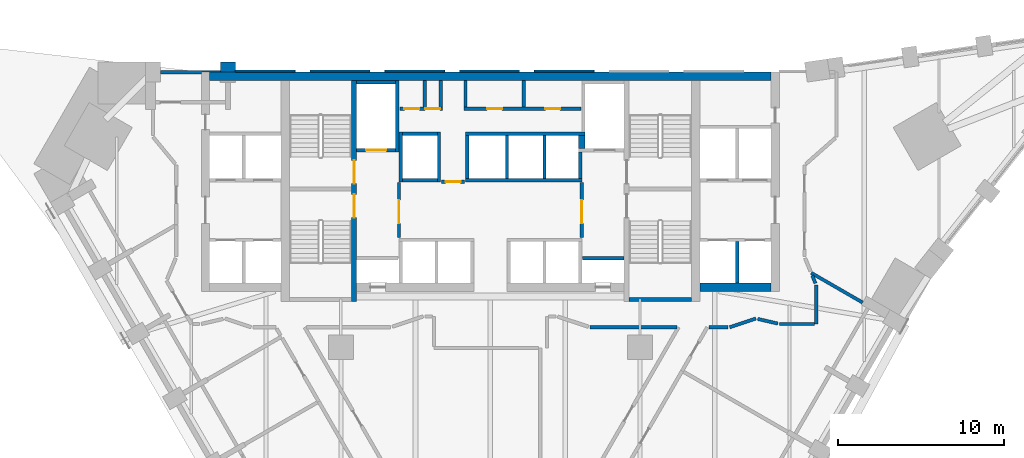
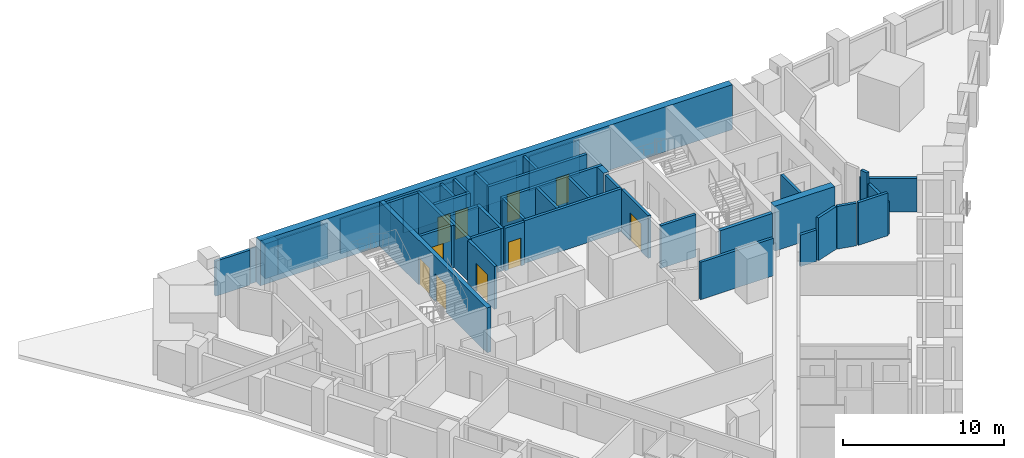
# One storey, part 7 of 10: 44 walls, 10 doors, 10 openings.
"""IFC4 building model written with IfcOpenShell, lengths in metres."""

from ifc_helpers import new_model, si_unit, direction, frame, frame_2d, origin, place, context, subcontext, project, spatial, polyline, rectangle, outline, extrude, material, layer, layer_set, type_object, element, fill, save


model = new_model("IFC4")

# Units and contexts
model_context = context("Model", 3, precision=1e-05, world=origin(), true_north=direction((0.0, 1.0)))
body_context = subcontext(model_context, "Body", "Model", "MODEL_VIEW")
ifc_project = project(units=[si_unit("LENGTHUNIT", "METRE"), si_unit("AREAUNIT", "SQUARE_METRE"), si_unit("VOLUMEUNIT", "CUBIC_METRE"), si_unit("PLANEANGLEUNIT", "RADIAN"), si_unit("MASSUNIT", "GRAM", prefix="KILO")], contexts=[model_context])

# Site, building, storey
site_placement = place(None, origin())
site = spatial("IfcSite", under=ifc_project, at=site_placement, CompositionType="ELEMENT")
building_placement = place(site_placement, origin())
building = spatial("IfcBuilding", under=site, at=building_placement, Name="Calabash Gate Tower", CompositionType="ELEMENT")
storey_placement = place(building_placement, frame((0.0, 0.0, 91.800048828125)))
storey = spatial("IfcBuildingStorey", under=building, at=storey_placement, Name="L19", CompositionType="ELEMENT", Elevation=91.800048828125)

# Walls
ifc_material_1 = material(Name="Terracotta brick masonry, exposed face", Category="masonry")
ifc_layer_1 = layer(ifc_material_1, 1.199951171875)
ifc_layer_set_1 = layer_set([ifc_layer_1], Name="Brick end wall 1200")
wall_type_1 = type_object("IfcWallType", Name="Brick end wall 1200", PredefinedType="SOLIDWALL", material=ifc_layer_set_1)
wall_1_placement = place(storey_placement, origin())
element("IfcWall", 1, at=wall_1_placement, inside=storey, type_object=wall_type_1, Name="Brick pier S05 N6.7a", PredefinedType="SOLIDWALL", context=body_context, shape_type="SweptSolid", body=[
    extrude(outline(polyline([(-15.35498046875, 19.052490234375), (-15.35498046875, 19.652587890625), (-16.255126953125, 19.652587890625), (-16.255126953125, 19.052490234375), (-15.35498046875, 19.052490234375)])), origin(), (0.0, 0.0, 1.0), 2.64990234375),
])
ifc_material_2 = material(Name="Gypsum board on steel studs, mineral wool", Category="steel")
ifc_layer_2 = layer(ifc_material_2, 0.199951171875)
ifc_layer_set_2 = layer_set([ifc_layer_2], Name="Core partition 200 gypsum board")
wall_type_2 = type_object("IfcWallType", Name="Core partition 200 gypsum board", PredefinedType="PARTITIONING", material=ifc_layer_set_2)
for number, where, z_axis, x_axis, name in (
    (2, (-3.949951171875, 16.95263671875, 0.0), (0.0, 0.0, 1.0), (0.0, 1.0, 0.0), "Core partition"),
    (3, (-3.0, 16.95263671875, 0.0), (0.0, 0.0, 1.0), (0.0, 1.0, 0.0), "Core partition"),
    (4, (-1.5, 16.95263671875, 0.0), (0.0, 0.0, 1.0), (0.0, 1.0, 0.0), "Core partition"),
    (5, (2.0, 16.95263671875, 0.0), (0.0, 0.0, 1.0), (0.0, 1.0, 0.0), "Core partition"),
):
    element("IfcWall", number, at=place(storey_placement, frame(where, z_axis=z_axis, x_axis=x_axis)), inside=storey, type_object=wall_type_2, Name=name, PredefinedType="PARTITIONING", context=body_context, shape_type="SweptSolid", body=[
        extrude(rectangle(XDim=1.599853515625, YDim=0.199951171875, at=frame_2d((0.7998046875, 0.0))), origin(), (0.0, 0.0, 1.0), 3.22998046875),
    ])
ifc_material_3 = material(Name="Concrete C80/95", Category="concrete")
ifc_layer_3 = layer(ifc_material_3, 0.25)
ifc_layer_set_3 = layer_set([ifc_layer_3], Name="Core wall 250 Concrete C80/95")
wall_type_3 = type_object("IfcWallType", Name="Core wall 250 Concrete C80/95", PredefinedType="SHEAR", material=ifc_layer_set_3)
wall_2_placement = place(storey_placement, frame((8.35009765625, 5.377685546875, 0.0), z_axis=(0.0, 0.0, 1.0), x_axis=(1.0, 0.0, 0.0)))
element("IfcWall", 6, at=wall_2_placement, inside=storey, type_object=wall_type_3, Name="Core wall Z2-SSE L19", PredefinedType="SHEAR", context=body_context, shape_type="SweptSolid", body=[
    extrude(rectangle(XDim=3.75, YDim=0.25, at=frame_2d((1.875, 0.0))), origin(), (0.0, 0.0, 1.0), 3.39990234375),
])

# Wall, openings, doors
ifc_material_4 = material(Name="Concrete C80/95", Category="concrete")
ifc_layer_4 = layer(ifc_material_4, 0.300048828125)
ifc_layer_set_4 = layer_set([ifc_layer_4], Name="Core wall 300 Concrete C80/95")
wall_type_4 = type_object("IfcWallType", Name="Core wall 300 Concrete C80/95", PredefinedType="SHEAR", material=ifc_layer_set_4)
wall_3_placement = place(storey_placement, frame((-8.199951171875, 5.252685546875, 0.0), z_axis=(0.0, 0.0, 1.0), x_axis=(0.0, 1.0, 0.0)))
wall_3 = element("IfcWall", 7, at=wall_3_placement, inside=storey, type_object=wall_type_4, Name="Core wall Z2-PARTW L19", PredefinedType="SHEAR", context=body_context, shape_type="SweptSolid", body=[
    extrude(rectangle(XDim=13.2998046875, YDim=0.300048828125, at=frame_2d((6.64990234375, 0.0))), origin(), (0.0, 0.0, 1.0), 3.39990234375),
])
opening_1_placement = place(wall_3_placement, frame((7.10009765625, 0.0, 0.0)))
opening_1 = element("IfcOpeningElement", 8, at=opening_1_placement, cuts=wall_3, Name="Opening H5-014", PredefinedType="OPENING", context=body_context, shape_type="SweptSolid", body=[
    extrude(rectangle(XDim=1.39990234375, YDim=2.10009765625, at=frame_2d((0.699951171875, 1.050048828125))), frame((0.0, 0.159912109375, 0.0), z_axis=(0.0, -1.0, 0.0), x_axis=(1.0, 0.0, 0.0)), (0.0, 0.0, 1.0), 0.320068359375),
])
opening_2_placement = place(wall_3_placement, frame((5.050048828125, 0.0, 0.0)))
opening_2 = element("IfcOpeningElement", 9, at=opening_2_placement, cuts=wall_3, Name="Opening H5-015", PredefinedType="OPENING", context=body_context, shape_type="SweptSolid", body=[
    extrude(rectangle(XDim=1.39990234375, YDim=2.10009765625, at=frame_2d((0.699951171875, 1.050048828125))), frame((0.0, 0.159912109375, 0.0), z_axis=(0.0, -1.0, 0.0), x_axis=(1.0, 0.0, 0.0)), (0.0, 0.0, 1.0), 0.320068359375),
])
ifc_material_5 = material(Name="Steel fire door set with fire-resisting glazing", Category="steel")
door_type_1 = type_object("IfcDoorType", Name="Fire door D05 1400x2100 FD90", OperationType="NOTDEFINED", PredefinedType="DOOR", material=ifc_material_5)
door_1_placement = place(opening_1_placement, origin())
door_1 = element("IfcDoor", 10, at=door_1_placement, inside=storey, type_object=door_type_1, Name="Exit stair door ST1", OperationType="SINGLE_SWING_LEFT", OverallHeight=2.10009765625, OverallWidth=1.39990234375, PredefinedType="DOOR", context=body_context, shape_type="SweptSolid", body=[
    extrude(rectangle(XDim=1.39990234375, YDim=2.10009765625, at=frame_2d((0.699951171875, 1.050048828125))), frame((0.0, 0.02490234375, 0.0), z_axis=(0.0, -1.0, 0.0), x_axis=(1.0, 0.0, 0.0)), (0.0, 0.0, 1.0), 0.050048828125),
])
fill(opening_1, door_1)
door_2_placement = place(opening_2_placement, origin())
door_2 = element("IfcDoor", 11, at=door_2_placement, inside=storey, type_object=door_type_1, Name="Exit stair door ST2", OperationType="SINGLE_SWING_LEFT", OverallHeight=2.10009765625, OverallWidth=1.39990234375, PredefinedType="DOOR", context=body_context, shape_type="SweptSolid", body=[
    extrude(rectangle(XDim=1.39990234375, YDim=2.10009765625, at=frame_2d((0.699951171875, 1.050048828125))), frame((0.0, 0.02490234375, 0.0), z_axis=(0.0, -1.0, 0.0), x_axis=(1.0, 0.0, 0.0)), (0.0, 0.0, 1.0), 0.050048828125),
])
fill(opening_2, door_2)

# Walls
ifc_material_6 = material(Name="Concrete C80/95", Category="concrete")
ifc_layer_5 = layer(ifc_material_6, 0.5)
ifc_layer_set_5 = layer_set([ifc_layer_5], Name="Core wall 500 Concrete C80/95")
wall_type_5 = type_object("IfcWallType", Name="Core wall 500 Concrete C80/95", PredefinedType="SHEAR", material=ifc_layer_set_5)
wall_4_placement = place(storey_placement, frame((-16.89990234375, 18.802490234375, 0.0), z_axis=(0.0, 0.0, 1.0), x_axis=(1.0, 0.0, 0.0)))
element("IfcWall", 12, at=wall_4_placement, inside=storey, type_object=wall_type_5, Name="Core wall Z2-N L19", PredefinedType="SHEAR", context=body_context, shape_type="SweptSolid", body=[
    extrude(rectangle(XDim=33.7998046875, YDim=0.5, at=frame_2d((16.89990234375, 0.0))), origin(), (0.0, 0.0, 1.0), 3.39990234375),
])
wall_5_placement = place(storey_placement, frame((12.60009765625, 6.1025390625, 0.0), z_axis=(0.0, 0.0, 1.0), x_axis=(1.0, 0.0, 0.0)))
element("IfcWall", 13, at=wall_5_placement, inside=storey, type_object=wall_type_5, Name="Core wall Z2-SE L19", PredefinedType="SHEAR", context=body_context, shape_type="SweptSolid", body=[
    extrude(rectangle(XDim=4.2998046875, YDim=0.5, at=frame_2d((2.14990234375, 0.0))), origin(), (0.0, 0.0, 1.0), 3.39990234375),
])
ifc_material_7 = material(Name="Gypsum board on steel studs, mineral wool", Category="steel")
ifc_layer_6 = layer(ifc_material_7, 0.199951171875)
ifc_layer_set_6 = layer_set([ifc_layer_6], Name="Partition 200 gypsum board EI 60")
wall_type_6 = type_object("IfcWallType", Name="Partition 200 gypsum board EI 60", PredefinedType="PARTITIONING", material=ifc_layer_set_6)
wall_6_placement = place(storey_placement, frame((6.0, 3.69970703125, 0.0), z_axis=(0.0, 0.0, 1.0), x_axis=(1.0, 0.0, 0.0)))
element("IfcWall", 14, at=wall_6_placement, inside=storey, type_object=wall_type_6, Name="Partition", PredefinedType="PARTITIONING", context=body_context, shape_type="SweptSolid", body=[
    extrude(rectangle(XDim=5.21875, YDim=0.199951171875, at=frame_2d((2.609375, 0.0))), origin(), (0.0, 0.0, 1.0), 2.83154296875),
])
wall_7_placement = place(storey_placement, frame((13.1513671875, 3.699462890625, 0.0), z_axis=(0.0, 0.0, 1.0), x_axis=(1.0, 0.0, 0.0)))
element("IfcWall", 15, at=wall_7_placement, inside=storey, type_object=wall_type_6, Name="Partition", PredefinedType="PARTITIONING", context=body_context, shape_type="SweptSolid", body=[
    extrude(rectangle(XDim=1.148681640625, YDim=0.199951171875, at=frame_2d((0.57421875, 0.0))), origin(), (0.0, 0.0, 1.0), 2.384033203125),
])
wall_8_placement = place(storey_placement, frame((17.39990234375, 3.8994140625, 0.0), z_axis=(0.0, 0.0, 1.0), x_axis=(0.999999993244, 0.000116238521, 0.0)))
element("IfcWall", 16, at=wall_8_placement, inside=storey, type_object=wall_type_6, Name="Partition", PredefinedType="PARTITIONING", context=body_context, shape_type="SweptSolid", body=[
    extrude(rectangle(XDim=2.100341796875, YDim=0.199951171875, at=frame_2d((1.05029296875, 0.0))), origin(), (0.0, 0.0, 1.0), 3.22998046875),
])
wall_9_placement = place(storey_placement, frame((16.080322265625, 4.20458984375, 0.0), z_axis=(0.0, 0.0, 1.0), x_axis=(0.974315694548, -0.225186428005, 0.0)))
element("IfcWall", 17, at=wall_9_placement, inside=storey, type_object=wall_type_6, Name="Partition", PredefinedType="PARTITIONING", context=body_context, shape_type="SweptSolid", body=[
    extrude(rectangle(XDim=1.25439453125, YDim=0.199951171875, at=frame_2d((0.627197265625, 0.0))), origin(), (0.0, 0.0, 1.0), 3.22998046875),
])
wall_10_placement = place(storey_placement, frame((14.400146484375, 3.699462890625, 0.0), z_axis=(0.0, 0.0, 1.0), x_axis=(0.948683298051, 0.316227766017, 0.0)))
element("IfcWall", 18, at=wall_10_placement, inside=storey, type_object=wall_type_6, Name="Partition", PredefinedType="PARTITIONING", context=body_context, shape_type="SweptSolid", body=[
    extrude(rectangle(XDim=1.66845703125, YDim=0.199951171875, at=frame_2d((0.834228515625, 0.0))), origin(), (0.0, 0.0, 1.0), 3.22998046875),
])
wall_11_placement = place(storey_placement, frame((19.3046875, 6.97509765625, 0.0), z_axis=(0.0, 0.0, 1.0), x_axis=(0.866254994177, -0.499602126761, 0.0)))
element("IfcWall", 19, at=wall_11_placement, inside=storey, type_object=wall_type_6, Name="Partition", PredefinedType="PARTITIONING", context=body_context, shape_type="SweptSolid", body=[
    extrude(rectangle(XDim=3.57177734375, YDim=0.199951171875, at=frame_2d((1.785888671875, 0.0))), origin(), (0.0, 0.0, 1.0), 2.5517578125),
])
wall_12_placement = place(storey_placement, frame((19.600341796875, 3.899658203125, 0.0), z_axis=(0.0, 0.0, 1.0), x_axis=(0.000103755965, 0.999999994617, 0.0)))
element("IfcWall", 20, at=wall_12_placement, inside=storey, type_object=wall_type_6, Name="Partition", PredefinedType="PARTITIONING", context=body_context, shape_type="SweptSolid", body=[
    extrude(rectangle(XDim=2.35302734375, YDim=0.199951171875, at=frame_2d((1.176513671875, 0.0))), origin(), (0.0, 0.0, 1.0), 2.449951171875),
])
wall_13_placement = place(storey_placement, frame((19.366455078125, 6.823974609375, 0.0), z_axis=(0.0, 0.0, 1.0), x_axis=(0.378945204734, -0.925419111435, 0.0)))
element("IfcWall", 21, at=wall_13_placement, inside=storey, type_object=wall_type_6, Name="Partition", PredefinedType="PARTITIONING", context=body_context, shape_type="SweptSolid", body=[
    extrude(rectangle(XDim=0.517333984375, YDim=0.199951171875, at=frame_2d((0.2587890625, 0.0))), origin(), (0.0, 0.0, 1.0), 3.22998046875),
])
ifc_material_8 = material(Name="Concrete C40/50", Category="concrete")
ifc_layer_7 = layer(ifc_material_8, 0.199951171875)
ifc_layer_set_7 = layer_set([ifc_layer_7], Name="Shaft wall 200 Concrete C40/50")
wall_type_7 = type_object("IfcWallType", Name="Shaft wall 200 Concrete C40/50", PredefinedType="SOLIDWALL", material=ifc_layer_set_7)
for number, where, z_axis, x_axis, name in (
    (22, (14.85009765625, 6.3525390625, 0.0), (0.0, 0.0, 1.0), (0.0, 1.0, 0.0), "Shaft wall"),
    (23, (5.550048828125, 7.8525390625, 0.0), (0.0, 0.0, 1.0), (1.0, 0.0, 0.0), "Shaft wall"),
):
    element("IfcWall", number, at=place(storey_placement, frame(where, z_axis=z_axis, x_axis=x_axis)), inside=storey, type_object=wall_type_7, Name=name, PredefinedType="SOLIDWALL", context=body_context, shape_type="SweptSolid", body=[
        extrude(rectangle(XDim=2.5, YDim=0.199951171875, at=frame_2d((1.25, 0.0))), origin(), (0.0, 0.0, 1.0), 3.22998046875),
    ])

# Wall, opening, door
wall_14_placement = place(storey_placement, frame((-5.5, 9.1025390625, 0.0), z_axis=(0.0, 0.0, 1.0), x_axis=(0.0, 1.0, 0.0)))
wall_14 = element("IfcWall", 24, at=wall_14_placement, inside=storey, type_object=wall_type_7, Name="Shaft wall", PredefinedType="SOLIDWALL", context=body_context, shape_type="SweptSolid", body=[
    extrude(rectangle(XDim=3.300048828125, YDim=0.199951171875, at=frame_2d((1.64990234375, 0.0))), origin(), (0.0, 0.0, 1.0), 3.22998046875),
])
opening_3_placement = place(wall_14_placement, frame((0.85009765625, 0.0, 0.0)))
opening_3 = element("IfcOpeningElement", 25, at=opening_3_placement, cuts=wall_14, Name="Opening H5-007", PredefinedType="OPENING", context=body_context, shape_type="SweptSolid", body=[
    extrude(rectangle(XDim=1.39990234375, YDim=2.10009765625, at=frame_2d((0.699951171875, 1.050048828125))), frame((0.0, 0.10986328125, 0.0), z_axis=(0.0, -1.0, 0.0), x_axis=(1.0, 0.0, 0.0)), (0.0, 0.0, 1.0), 0.219970703125),
])
door_3_placement = place(opening_3_placement, origin())
door_3 = element("IfcDoor", 26, at=door_3_placement, inside=storey, type_object=door_type_1, Name="Firefighting Lobby W door", OperationType="SINGLE_SWING_RIGHT", OverallHeight=2.10009765625, OverallWidth=1.39990234375, PredefinedType="DOOR", context=body_context, shape_type="SweptSolid", body=[
    extrude(rectangle(XDim=1.39990234375, YDim=2.10009765625, at=frame_2d((0.699951171875, 1.050048828125))), frame((0.0, 0.02490234375, 0.0), z_axis=(0.0, -1.0, 0.0), x_axis=(1.0, 0.0, 0.0)), (0.0, 0.0, 1.0), 0.050048828125),
])
fill(opening_3, door_3)

wall_15_placement = place(storey_placement, frame((5.5, 9.1025390625, 0.0), z_axis=(0.0, 0.0, 1.0), x_axis=(0.0, 1.0, 0.0)))
wall_15 = element("IfcWall", 27, at=wall_15_placement, inside=storey, type_object=wall_type_7, Name="Shaft wall", PredefinedType="SOLIDWALL", context=body_context, shape_type="SweptSolid", body=[
    extrude(rectangle(XDim=3.300048828125, YDim=0.199951171875, at=frame_2d((1.64990234375, 0.0))), origin(), (0.0, 0.0, 1.0), 3.22998046875),
])
opening_4_placement = place(wall_15_placement, frame((0.85009765625, 0.0, 0.0)))
opening_4 = element("IfcOpeningElement", 28, at=opening_4_placement, cuts=wall_15, Name="Opening H5-006", PredefinedType="OPENING", context=body_context, shape_type="SweptSolid", body=[
    extrude(rectangle(XDim=1.39990234375, YDim=2.10009765625, at=frame_2d((0.699951171875, 1.050048828125))), frame((0.0, 0.10986328125, 0.0), z_axis=(0.0, -1.0, 0.0), x_axis=(1.0, 0.0, 0.0)), (0.0, 0.0, 1.0), 0.219970703125),
])
door_4_placement = place(opening_4_placement, origin())
door_4 = element("IfcDoor", 29, at=door_4_placement, inside=storey, type_object=door_type_1, Name="Firefighting Lobby E door", OperationType="SINGLE_SWING_LEFT", OverallHeight=2.10009765625, OverallWidth=1.39990234375, PredefinedType="DOOR", context=body_context, shape_type="SweptSolid", body=[
    extrude(rectangle(XDim=1.39990234375, YDim=2.10009765625, at=frame_2d((0.699951171875, 1.050048828125))), frame((0.0, 0.02490234375, 0.0), z_axis=(0.0, -1.0, 0.0), x_axis=(1.0, 0.0, 0.0)), (0.0, 0.0, 1.0), 0.050048828125),
])
fill(opening_4, door_4)

wall_16_placement = place(storey_placement, frame((-2.949951171875, 12.45263671875, 0.0), z_axis=(0.0, 0.0, 1.0), x_axis=(1.0, 0.0, 0.0)))
wall_16 = element("IfcWall", 30, at=wall_16_placement, inside=storey, type_object=wall_type_7, Name="Shaft wall", PredefinedType="SOLIDWALL", context=body_context, shape_type="SweptSolid", body=[
    extrude(rectangle(XDim=1.39990234375, YDim=0.199951171875, at=frame_2d((0.699951171875, 0.0))), origin(), (0.0, 0.0, 1.0), 3.22998046875),
])
opening_5_placement = place(wall_16_placement, frame((0.25, 0.0, 0.0)))
opening_5 = element("IfcOpeningElement", 31, at=opening_5_placement, cuts=wall_16, Name="Opening H5-005", PredefinedType="OPENING", context=body_context, shape_type="SweptSolid", body=[
    extrude(rectangle(XDim=0.89990234375, YDim=2.10009765625, at=frame_2d((0.449951171875, 1.050048828125))), frame((0.0, 0.10986328125, 0.0), z_axis=(0.0, -1.0, 0.0), x_axis=(1.0, 0.0, 0.0)), (0.0, 0.0, 1.0), 0.219970703125),
])
ifc_material_9 = material(Name="Steel fire door set with fire-resisting glazing", Category="steel")
door_type_2 = type_object("IfcDoorType", Name="Fire door D06 900x2100 FD60", OperationType="NOTDEFINED", PredefinedType="DOOR", material=ifc_material_9)
door_5_placement = place(opening_5_placement, origin())
door_5 = element("IfcDoor", 32, at=door_5_placement, inside=storey, type_object=door_type_2, Name="Service Corridor door", OperationType="SINGLE_SWING_RIGHT", OverallHeight=2.10009765625, OverallWidth=0.89990234375, PredefinedType="DOOR", context=body_context, shape_type="SweptSolid", body=[
    extrude(rectangle(XDim=0.89990234375, YDim=2.10009765625, at=frame_2d((0.449951171875, 1.050048828125))), frame((0.0, 0.02490234375, 0.0), z_axis=(0.0, -1.0, 0.0), x_axis=(1.0, 0.0, 0.0)), (0.0, 0.0, 1.0), 0.050048828125),
])
fill(opening_5, door_5)

# Walls
wall_17_placement = place(storey_placement, frame((-5.39990234375, 12.45263671875, 0.0), z_axis=(0.0, 0.0, 1.0), x_axis=(0.0, 1.0, 0.0)))
element("IfcWall", 33, at=wall_17_placement, inside=storey, type_object=wall_type_7, Name="Shaft wall", PredefinedType="SOLIDWALL", context=body_context, shape_type="SweptSolid", body=[
    extrude(rectangle(XDim=3.0, YDim=0.199951171875, at=frame_2d((1.5, 0.0))), origin(), (0.0, 0.0, 1.0), 3.22998046875),
])
wall_18_placement = place(storey_placement, frame((-5.300048828125, 12.552490234375, 0.0), z_axis=(0.0, 0.0, 1.0), x_axis=(1.0, 0.0, 0.0)))
element("IfcWall", 34, at=wall_18_placement, inside=storey, type_object=wall_type_7, Name="Shaft wall", PredefinedType="SOLIDWALL", context=body_context, shape_type="SweptSolid", body=[
    extrude(rectangle(XDim=2.10009765625, YDim=0.199951171875, at=frame_2d((1.050048828125, 0.0))), origin(), (0.0, 0.0, 1.0), 3.22998046875),
])
wall_19_placement = place(storey_placement, frame((-3.10009765625, 12.45263671875, 0.0), z_axis=(0.0, 0.0, 1.0), x_axis=(0.0, 1.0, 0.0)))
element("IfcWall", 35, at=wall_19_placement, inside=storey, type_object=wall_type_7, Name="Shaft wall", PredefinedType="SOLIDWALL", context=body_context, shape_type="SweptSolid", body=[
    extrude(rectangle(XDim=3.0, YDim=0.199951171875, at=frame_2d((1.5, 0.0))), origin(), (0.0, 0.0, 1.0), 3.22998046875),
])
wall_20_placement = place(storey_placement, frame((-1.5, 12.552490234375, 0.0), z_axis=(0.0, 0.0, 1.0), x_axis=(1.0, 0.0, 0.0)))
element("IfcWall", 36, at=wall_20_placement, inside=storey, type_object=wall_type_7, Name="Shaft wall", PredefinedType="SOLIDWALL", context=body_context, shape_type="SweptSolid", body=[
    extrude(rectangle(XDim=7.0, YDim=0.199951171875, at=frame_2d((3.5, 0.0))), origin(), (0.0, 0.0, 1.0), 3.22998046875),
])
for number, where, z_axis, x_axis, name in (
    (37, (-1.39990234375, 12.652587890625, 0.0), (0.0, 0.0, 1.0), (0.0, 1.0, 0.0), "Shaft wall"),
    (38, (1.0, 12.652587890625, 0.0), (0.0, 0.0, 1.0), (0.0, 1.0, 0.0), "Shaft wall"),
    (39, (3.25, 12.652587890625, 0.0), (0.0, 0.0, 1.0), (0.0, 1.0, 0.0), "Shaft wall"),
):
    element("IfcWall", number, at=place(storey_placement, frame(where, z_axis=z_axis, x_axis=x_axis)), inside=storey, type_object=wall_type_7, Name=name, PredefinedType="SOLIDWALL", context=body_context, shape_type="SweptSolid", body=[
        extrude(rectangle(XDim=2.60009765625, YDim=0.199951171875, at=frame_2d((1.300048828125, 0.0))), origin(), (0.0, 0.0, 1.0), 3.22998046875),
    ])
wall_21_placement = place(storey_placement, frame((5.39990234375, 12.652587890625, 0.0), z_axis=(0.0, 0.0, 1.0), x_axis=(0.0, 1.0, 0.0)))
element("IfcWall", 40, at=wall_21_placement, inside=storey, type_object=wall_type_7, Name="Shaft wall", PredefinedType="SOLIDWALL", context=body_context, shape_type="SweptSolid", body=[
    extrude(rectangle(XDim=1.60009765625, YDim=0.199951171875, at=frame_2d((0.800048828125, 0.0))), origin(), (0.0, 0.0, 1.0), 3.22998046875),
])

# Wall, opening, door
wall_22_placement = place(storey_placement, frame((-8.050048828125, 14.3525390625, 0.0), z_axis=(0.0, 0.0, 1.0), x_axis=(1.0, 0.0, 0.0)))
wall_22 = element("IfcWall", 41, at=wall_22_placement, inside=storey, type_object=wall_type_7, Name="Shaft wall", PredefinedType="SOLIDWALL", context=body_context, shape_type="SweptSolid", body=[
    extrude(rectangle(XDim=2.35009765625, YDim=0.199951171875, at=frame_2d((1.175048828125, 0.0))), origin(), (0.0, 0.0, 1.0), 3.22998046875),
])
opening_6_placement = place(wall_22_placement, frame((0.574951171875, 0.0, 0.0)))
opening_6 = element("IfcOpeningElement", 42, at=opening_6_placement, cuts=wall_22, Name="Opening LD-FF1", PredefinedType="OPENING", context=body_context, shape_type="SweptSolid", body=[
    extrude(rectangle(XDim=1.199951171875, YDim=2.10009765625, at=frame_2d((0.60009765625, 1.050048828125))), frame((0.0, 0.10986328125, 0.0), z_axis=(0.0, -1.0, 0.0), x_axis=(1.0, 0.0, 0.0)), (0.0, 0.0, 1.0), 0.219970703125),
])
ifc_material_10 = material(Name="Stainless steel sliding door leaves", Category="steel")
door_type_3 = type_object("IfcDoorType", Name="Lift landing door LS3 1200x2100 FD90", OperationType="DOUBLE_DOOR_SLIDING", PredefinedType="DOOR", material=ifc_material_10)
door_6_placement = place(opening_6_placement, origin())
door_6 = element("IfcDoor", 43, at=door_6_placement, inside=storey, type_object=door_type_3, Name="Lift landing door FF1", OperationType="DOUBLE_DOOR_SLIDING", OverallHeight=2.10009765625, OverallWidth=1.199951171875, PredefinedType="DOOR", context=body_context, shape_type="SweptSolid", body=[
    extrude(rectangle(XDim=1.199951171875, YDim=2.10009765625, at=frame_2d((0.60009765625, 1.050048828125))), frame((0.0, 0.02490234375, 0.0), z_axis=(0.0, -1.0, 0.0), x_axis=(1.0, 0.0, 0.0)), (0.0, 0.0, 1.0), 0.050048828125),
])
fill(opening_6, door_6)

# Walls
wall_23_placement = place(storey_placement, frame((-5.60009765625, 14.252685546875, 0.0), z_axis=(0.0, 0.0, 1.0), x_axis=(0.0, 1.0, 0.0)))
element("IfcWall", 44, at=wall_23_placement, inside=storey, type_object=wall_type_7, Name="Shaft wall", PredefinedType="SOLIDWALL", context=body_context, shape_type="SweptSolid", body=[
    extrude(rectangle(XDim=4.2998046875, YDim=0.199951171875, at=frame_2d((2.14990234375, 0.0))), origin(), (0.0, 0.0, 1.0), 3.22998046875),
])
wall_24_placement = place(storey_placement, frame((5.5, 14.45263671875, 0.0), z_axis=(0.0, 0.0, 1.0), x_axis=(0.0, 1.0, 0.0)))
element("IfcWall", 45, at=wall_24_placement, inside=storey, type_object=wall_type_7, Name="Shaft wall", PredefinedType="SOLIDWALL", context=body_context, shape_type="SweptSolid", body=[
    extrude(rectangle(XDim=0.800048828125, YDim=0.39990234375, at=frame_2d((0.39990234375, 0.0))), origin(), (0.0, 0.0, 1.0), 3.22998046875),
])
wall_25_placement = place(storey_placement, frame((-5.300048828125, 15.3525390625, 0.0), z_axis=(0.0, 0.0, 1.0), x_axis=(1.0, 0.0, 0.0)))
element("IfcWall", 46, at=wall_25_placement, inside=storey, type_object=wall_type_7, Name="Shaft wall", PredefinedType="SOLIDWALL", context=body_context, shape_type="SweptSolid", body=[
    extrude(rectangle(XDim=2.10009765625, YDim=0.199951171875, at=frame_2d((1.050048828125, 0.0))), origin(), (0.0, 0.0, 1.0), 3.22998046875),
])
wall_26_placement = place(storey_placement, frame((-1.5, 15.3525390625, 0.0), z_axis=(0.0, 0.0, 1.0), x_axis=(1.0, 0.0, 0.0)))
element("IfcWall", 47, at=wall_26_placement, inside=storey, type_object=wall_type_7, Name="Shaft wall", PredefinedType="SOLIDWALL", context=body_context, shape_type="SweptSolid", body=[
    extrude(rectangle(XDim=7.199951171875, YDim=0.199951171875, at=frame_2d((3.60009765625, 0.0))), origin(), (0.0, 0.0, 1.0), 3.22998046875),
])

# Wall, openings, doors
wall_27_placement = place(storey_placement, frame((-5.449951171875, 16.8525390625, 0.0), z_axis=(0.0, 0.0, 1.0), x_axis=(1.0, 0.0, 0.0)))
wall_27 = element("IfcWall", 48, at=wall_27_placement, inside=storey, type_object=wall_type_7, Name="Shaft wall", PredefinedType="SOLIDWALL", context=body_context, shape_type="SweptSolid", body=[
    extrude(rectangle(XDim=2.550048828125, YDim=0.199951171875, at=frame_2d((1.27490234375, 0.0))), origin(), (0.0, 0.0, 1.0), 3.22998046875),
])
opening_7_placement = place(wall_27_placement, frame((0.27490234375, 0.0, 0.0)))
opening_7 = element("IfcOpeningElement", 49, at=opening_7_placement, cuts=wall_27, Name="Opening H5-008", PredefinedType="OPENING", context=body_context, shape_type="SweptSolid", body=[
    extrude(rectangle(XDim=0.89990234375, YDim=2.10009765625, at=frame_2d((0.449951171875, 1.050048828125))), frame((0.0, 0.10986328125, 0.0), z_axis=(0.0, -1.0, 0.0), x_axis=(1.0, 0.0, 0.0)), (0.0, 0.0, 1.0), 0.219970703125),
])
opening_8_placement = place(wall_27_placement, frame((1.52490234375, 0.0, 0.0)))
opening_8 = element("IfcOpeningElement", 50, at=opening_8_placement, cuts=wall_27, Name="Opening H5-009", PredefinedType="OPENING", context=body_context, shape_type="SweptSolid", body=[
    extrude(rectangle(XDim=0.89990234375, YDim=2.10009765625, at=frame_2d((0.449951171875, 1.050048828125))), frame((0.0, 0.10986328125, 0.0), z_axis=(0.0, -1.0, 0.0), x_axis=(1.0, 0.0, 0.0)), (0.0, 0.0, 1.0), 0.219970703125),
])
door_7_placement = place(opening_7_placement, origin())
door_7 = element("IfcDoor", 51, at=door_7_placement, inside=storey, type_object=door_type_2, Name="Hotel Pantry door", OperationType="SINGLE_SWING_LEFT", OverallHeight=2.10009765625, OverallWidth=0.89990234375, PredefinedType="DOOR", context=body_context, shape_type="SweptSolid", body=[
    extrude(rectangle(XDim=0.89990234375, YDim=2.10009765625, at=frame_2d((0.449951171875, 1.050048828125))), frame((0.0, 0.02490234375, 0.0), z_axis=(0.0, -1.0, 0.0), x_axis=(1.0, 0.0, 0.0)), (0.0, 0.0, 1.0), 0.050048828125),
])
fill(opening_7, door_7)
door_8_placement = place(opening_8_placement, origin())
door_8 = element("IfcDoor", 52, at=door_8_placement, inside=storey, type_object=door_type_2, Name="Luggage Store door", OperationType="SINGLE_SWING_LEFT", OverallHeight=2.10009765625, OverallWidth=0.89990234375, PredefinedType="DOOR", context=body_context, shape_type="SweptSolid", body=[
    extrude(rectangle(XDim=0.89990234375, YDim=2.10009765625, at=frame_2d((0.449951171875, 1.050048828125))), frame((0.0, 0.02490234375, 0.0), z_axis=(0.0, -1.0, 0.0), x_axis=(1.0, 0.0, 0.0)), (0.0, 0.0, 1.0), 0.050048828125),
])
fill(opening_8, door_8)

wall_28_placement = place(storey_placement, frame((-1.60009765625, 16.8525390625, 0.0), z_axis=(0.0, 0.0, 1.0), x_axis=(1.0, 0.0, 0.0)))
wall_28 = element("IfcWall", 53, at=wall_28_placement, inside=storey, type_object=wall_type_7, Name="Shaft wall", PredefinedType="SOLIDWALL", context=body_context, shape_type="SweptSolid", body=[
    extrude(rectangle(XDim=7.050048828125, YDim=0.199951171875, at=frame_2d((3.52490234375, 0.0))), origin(), (0.0, 0.0, 1.0), 3.22998046875),
])
opening_9_placement = place(wall_28_placement, frame((1.39990234375, 0.0, 0.0)))
opening_9 = element("IfcOpeningElement", 54, at=opening_9_placement, cuts=wall_28, Name="Opening H5-010", PredefinedType="OPENING", context=body_context, shape_type="SweptSolid", body=[
    extrude(rectangle(XDim=0.89990234375, YDim=2.10009765625, at=frame_2d((0.449951171875, 1.050048828125))), frame((0.0, 0.10986328125, 0.0), z_axis=(0.0, -1.0, 0.0), x_axis=(1.0, 0.0, 0.0)), (0.0, 0.0, 1.0), 0.219970703125),
])
opening_10_placement = place(wall_28_placement, frame((4.89990234375, 0.0, 0.0)))
opening_10 = element("IfcOpeningElement", 55, at=opening_10_placement, cuts=wall_28, Name="Opening H5-011", PredefinedType="OPENING", context=body_context, shape_type="SweptSolid", body=[
    extrude(rectangle(XDim=0.89990234375, YDim=2.10009765625, at=frame_2d((0.449951171875, 1.050048828125))), frame((0.0, 0.10986328125, 0.0), z_axis=(0.0, -1.0, 0.0), x_axis=(1.0, 0.0, 0.0)), (0.0, 0.0, 1.0), 0.219970703125),
])
door_9_placement = place(opening_9_placement, origin())
door_9 = element("IfcDoor", 56, at=door_9_placement, inside=storey, type_object=door_type_2, Name="Comms Room door", OperationType="SINGLE_SWING_LEFT", OverallHeight=2.10009765625, OverallWidth=0.89990234375, PredefinedType="DOOR", context=body_context, shape_type="SweptSolid", body=[
    extrude(rectangle(XDim=0.89990234375, YDim=2.10009765625, at=frame_2d((0.449951171875, 1.050048828125))), frame((0.0, 0.02490234375, 0.0), z_axis=(0.0, -1.0, 0.0), x_axis=(1.0, 0.0, 0.0)), (0.0, 0.0, 1.0), 0.050048828125),
])
fill(opening_9, door_9)
door_10_placement = place(opening_10_placement, origin())
door_10 = element("IfcDoor", 57, at=door_10_placement, inside=storey, type_object=door_type_2, Name="Housekeeping Store door", OperationType="SINGLE_SWING_LEFT", OverallHeight=2.10009765625, OverallWidth=0.89990234375, PredefinedType="DOOR", context=body_context, shape_type="SweptSolid", body=[
    extrude(rectangle(XDim=0.89990234375, YDim=2.10009765625, at=frame_2d((0.449951171875, 1.050048828125))), frame((0.0, 0.02490234375, 0.0), z_axis=(0.0, -1.0, 0.0), x_axis=(1.0, 0.0, 0.0)), (0.0, 0.0, 1.0), 0.050048828125),
])
fill(opening_10, door_10)

# Walls
wall_29_placement = place(storey_placement, frame((-8.050048828125, 18.45263671875, 0.0), z_axis=(0.0, 0.0, 1.0), x_axis=(1.0, 0.0, 0.0)))
element("IfcWall", 58, at=wall_29_placement, inside=storey, type_object=wall_type_7, Name="Shaft wall", PredefinedType="SOLIDWALL", context=body_context, shape_type="SweptSolid", body=[
    extrude(rectangle(XDim=2.35009765625, YDim=0.199951171875, at=frame_2d((1.175048828125, 0.0))), origin(), (0.0, 0.0, 1.0), 3.22998046875),
])
ifc_material_11 = material(Name="Terracotta brick masonry, perforated", Category="masonry")
ifc_layer_8 = layer(ifc_material_11, 0.1201171875)
ifc_layer_set_8 = layer_set([ifc_layer_8], Name="Terracotta jaali cladding A 120")
wall_type_8 = type_object("IfcWallType", Name="Terracotta jaali cladding A 120", PredefinedType="SOLIDWALL", material=ifc_layer_set_8)
wall_30_placement = place(storey_placement, origin())
element("IfcWall", 59, at=wall_30_placement, inside=storey, type_object=wall_type_8, Name="Jaali cladding S05 N6.3", PredefinedType="SOLIDWALL", context=body_context, shape_type="SweptSolid", body=[
    extrude(outline(polyline([(2.64501953125, 19.172607421875), (2.64501953125, 19.052490234375), (6.244873046875, 19.052490234375), (6.244873046875, 19.172607421875), (2.64501953125, 19.172607421875)])), origin(), (0.0, 0.0, 1.0), 2.64990234375),
])
wall_31_placement = place(storey_placement, origin())
element("IfcWall", 60, at=wall_31_placement, inside=storey, type_object=wall_type_8, Name="Jaali cladding S05 N6.5", PredefinedType="SOLIDWALL", context=body_context, shape_type="SweptSolid", body=[
    extrude(outline(polyline([(-6.35498046875, 19.172607421875), (-6.35498046875, 19.052490234375), (-2.755126953125, 19.052490234375), (-2.755126953125, 19.172607421875), (-6.35498046875, 19.172607421875)])), origin(), (0.0, 0.0, 1.0), 2.64990234375),
])
wall_32_placement = place(storey_placement, origin())
element("IfcWall", 61, at=wall_32_placement, inside=storey, type_object=wall_type_8, Name="Jaali cladding S05 N6.7", PredefinedType="SOLIDWALL", context=body_context, shape_type="SweptSolid", body=[
    extrude(outline(polyline([(-15.3544921875, 19.172607421875), (-15.3544921875, 19.052490234375), (-11.755126953125, 19.052490234375), (-11.755126953125, 19.172607421875), (-15.3544921875, 19.172607421875)])), origin(), (0.0, 0.0, 1.0), 2.64990234375),
])
ifc_material_12 = material(Name="Terracotta brick masonry, perforated", Category="masonry")
ifc_layer_9 = layer(ifc_material_12, 0.199951171875)
ifc_layer_set_9 = layer_set([ifc_layer_9], Name="Terracotta jaali screen A")
wall_type_9 = type_object("IfcWallType", Name="Terracotta jaali screen A", PredefinedType="SOLIDWALL", material=ifc_layer_set_9)
wall_33_placement = place(storey_placement, origin())
element("IfcWall", 62, at=wall_33_placement, inside=storey, type_object=wall_type_9, Name="SCREEN A S05 N6.8", PredefinedType="SOLIDWALL", context=body_context, shape_type="SweptSolid", body=[
    extrude(outline(polyline([(-16.255126953125, 19.052490234375), (-16.255126953125, 19.152587890625), (-19.85302734375, 19.152587890625), (-19.85302734375, 18.95263671875), (-17.39990234375, 18.95263671875), (-17.39990234375, 19.052490234375), (-16.255126953125, 19.052490234375)])), origin(), (0.0, 0.0, 1.0), 2.64990234375),
])
ifc_material_13 = material(Name="Terracotta louvre blades in an aluminium frame", Category="masonry")
ifc_layer_10 = layer(ifc_material_13, 0.1201171875)
ifc_layer_set_10 = layer_set([ifc_layer_10], Name="Terracotta vent louvre cladding 120")
wall_type_10 = type_object("IfcWallType", Name="Terracotta vent louvre cladding 120", PredefinedType="ELEMENTEDWALL", material=ifc_layer_set_10)
wall_34_placement = place(storey_placement, origin())
element("IfcWall", 63, at=wall_34_placement, inside=storey, type_object=wall_type_10, Name="Vent louvre cladding S05 N6.4", PredefinedType="ELEMENTEDWALL", context=body_context, shape_type="SweptSolid", body=[
    extrude(outline(polyline([(-1.85498046875, 19.172607421875), (-1.85498046875, 19.052490234375), (1.744873046875, 19.052490234375), (1.744873046875, 19.172607421875), (-1.85498046875, 19.172607421875)])), origin(), (0.0, 0.0, 1.0), 2.64990234375),
])
wall_35_placement = place(storey_placement, origin())
element("IfcWall", 64, at=wall_35_placement, inside=storey, type_object=wall_type_10, Name="Vent louvre cladding S05 N6.6", PredefinedType="ELEMENTEDWALL", context=body_context, shape_type="SweptSolid", body=[
    extrude(outline(polyline([(-10.85498046875, 19.172607421875), (-10.85498046875, 19.052490234375), (-7.255126953125, 19.052490234375), (-7.255126953125, 19.172607421875), (-10.85498046875, 19.172607421875)])), origin(), (0.0, 0.0, 1.0), 2.64990234375),
])

save(model, "model.ifc")
